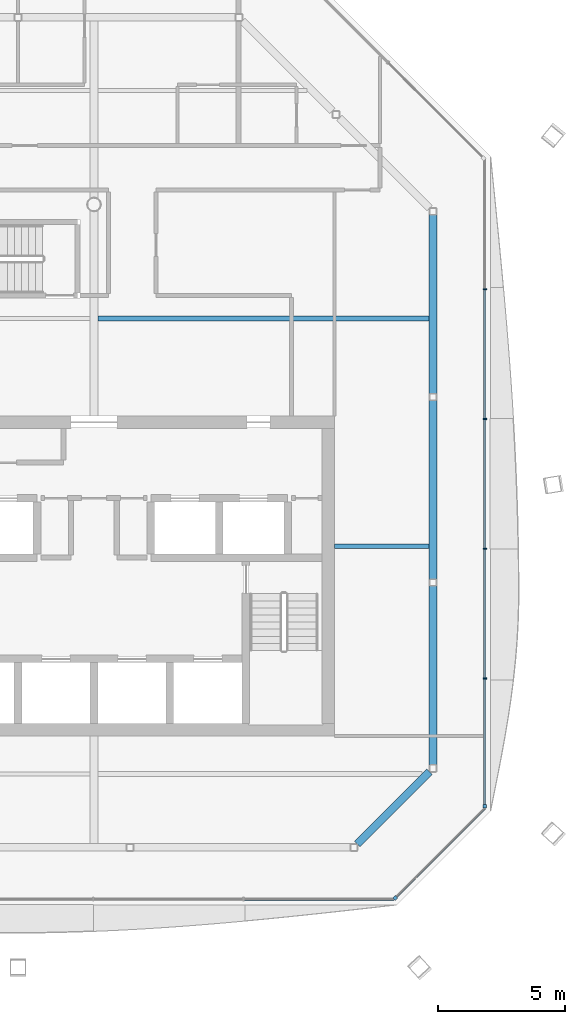
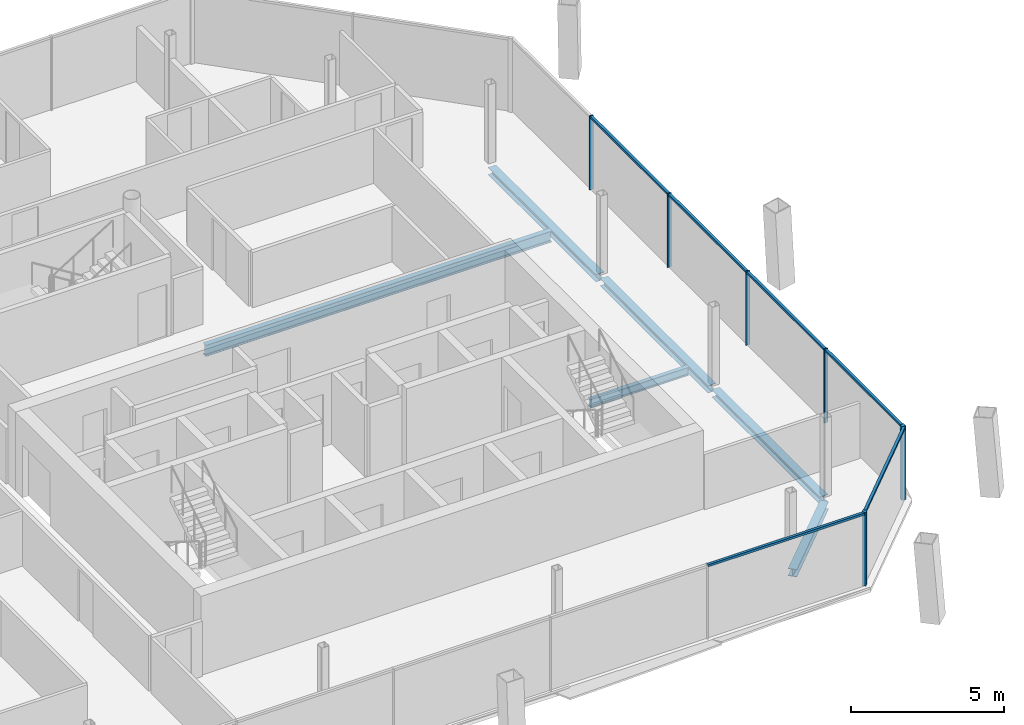
# One storey, part 7 of 17: 12 members, 6 beams, 3 elements without a shape of their own.
"""IFC4 building model written with IfcOpenShell, lengths in metres."""

from ifc_helpers import new_model, si_unit, direction, frame, origin, origin_2d, place, context, subcontext, project, spatial, rectangle, i_section, extrude, material, material_profile, profile_set, type_object, element, aggregate, save


model = new_model("IFC4")

# Units and contexts
model_context = context("Model", 3, precision=1e-05, world=origin(), true_north=direction((0.0, 1.0)))
body_context = subcontext(model_context, "Body", "Model", "MODEL_VIEW")
ifc_project = project(units=[si_unit("LENGTHUNIT", "METRE"), si_unit("AREAUNIT", "SQUARE_METRE"), si_unit("VOLUMEUNIT", "CUBIC_METRE"), si_unit("PLANEANGLEUNIT", "RADIAN"), si_unit("MASSUNIT", "GRAM", prefix="KILO")], contexts=[model_context])

# Site, building, storey
site_placement = place(None, origin())
site = spatial("IfcSite", under=ifc_project, at=site_placement, CompositionType="ELEMENT")
building_placement = place(site_placement, origin())
building = spatial("IfcBuilding", under=site, at=building_placement, Name="Tskaro Facet Tower", CompositionType="ELEMENT")
storey_placement = place(building_placement, frame((0.0, 0.0, 232.949951171875)))
storey = spatial("IfcBuildingStorey", under=building, at=storey_placement, Name="L60", CompositionType="ELEMENT", Elevation=232.949951171875)

# Curtain wall, member
ifc_material_1 = material(Name="Bronze anodised aluminium 6063-T6", Category="aluminium")
curtain_wall_type = type_object("IfcCurtainWallType", Name="Bronze residence curtain wall (FW3)", PredefinedType="NOTDEFINED", material=ifc_material_1)
curtain_wall_1_placement = place(storey_placement, origin())
curtain_wall_1 = element("IfcCurtainWall", 1, at=curtain_wall_1_placement, inside=storey, type_object=curtain_wall_type, Name="FW3 south-east facet L60", PredefinedType="NOTDEFINED")
ifc_material_profile_1 = material_profile(ifc_material_1, rectangle(XDim=0.139892578125, YDim=0.139892578125, at=origin_2d()), Name="Corner post 140x140")
ifc_profile_set_1 = profile_set([ifc_material_profile_1], Name="Bronze anodised aluminium 6063-T6")
member_type_1 = type_object("IfcMemberType", Name="FW3 bronze corner post 140x140", PredefinedType="MULLION", material=ifc_profile_set_1)
member_1_placement = place(storey_placement, frame((11.8935546875, -18.387451171875, 0.0), z_axis=(0.0, 0.0, 1.0), x_axis=(0.707106781187, 0.707106781187, 0.0)))
member_1 = element("IfcMember", 2, at=member_1_placement, type_object=member_type_1, Name="FW3 south-east corner post", PredefinedType="MULLION", context=body_context, shape_type="SweptSolid", body=[
    extrude(rectangle(XDim=0.139892578125, YDim=0.139892578125, at=origin_2d()), origin(), (0.0, 0.0, 1.0), 2.949951171875),
])

# Curtain wall, members
curtain_wall_2_placement = place(storey_placement, origin())
curtain_wall_2 = element("IfcCurtainWall", 3, at=curtain_wall_2_placement, inside=storey, type_object=curtain_wall_type, Name="FW3 east facet L60", PredefinedType="NOTDEFINED")
member_2_placement = place(storey_placement, frame((15.43701171875, -14.77392578125, 0.0), z_axis=(0.0, 0.0, 1.0), x_axis=(0.0, 1.0, 0.0)))
member_2 = element("IfcMember", 4, at=member_2_placement, type_object=member_type_1, Name="FW3 east corner post", PredefinedType="MULLION", context=body_context, shape_type="SweptSolid", body=[
    extrude(rectangle(XDim=0.139892578125, YDim=0.139892578125, at=origin_2d()), origin(), (0.0, 0.0, 1.0), 2.949951171875),
])
ifc_material_profile_2 = material_profile(ifc_material_1, rectangle(XDim=0.050048828125, YDim=0.139892578125, at=origin_2d()), Name="Mullion 50x140")
ifc_profile_set_2 = profile_set([ifc_material_profile_2], Name="Bronze anodised aluminium 6063-T6")
member_type_2 = type_object("IfcMemberType", Name="FW3 bronze mullion 50x140", PredefinedType="MULLION", material=ifc_profile_set_2)
member_3_placement = place(storey_placement, frame((15.43701171875, -9.719482421875, 0.0), z_axis=(0.0, 0.0, 1.0), x_axis=(0.0, 1.0, 0.0)))
member_3 = element("IfcMember", 5, at=member_3_placement, type_object=member_type_2, Name="FW3 east mullion 1", PredefinedType="MULLION", context=body_context, shape_type="SweptSolid", body=[
    extrude(rectangle(XDim=0.050048828125, YDim=0.139892578125, at=origin_2d()), origin(), (0.0, 0.0, 1.0), 2.949951171875),
])
member_4_placement = place(storey_placement, frame((15.43701171875, -4.5947265625, 0.0), z_axis=(0.0, 0.0, 1.0), x_axis=(0.0, 1.0, 0.0)))
member_4 = element("IfcMember", 6, at=member_4_placement, type_object=member_type_2, Name="FW3 east mullion 2", PredefinedType="MULLION", context=body_context, shape_type="SweptSolid", body=[
    extrude(rectangle(XDim=0.050048828125, YDim=0.139892578125, at=origin_2d()), origin(), (0.0, 0.0, 1.0), 2.949951171875),
])
member_5_placement = place(storey_placement, frame((15.43701171875, 0.52978515625, 0.0), z_axis=(0.0, 0.0, 1.0), x_axis=(0.0, 1.0, 0.0)))
member_5 = element("IfcMember", 7, at=member_5_placement, type_object=member_type_2, Name="FW3 east mullion 3", PredefinedType="MULLION", context=body_context, shape_type="SweptSolid", body=[
    extrude(rectangle(XDim=0.050048828125, YDim=0.139892578125, at=origin_2d()), origin(), (0.0, 0.0, 1.0), 2.949951171875),
])
member_6_placement = place(storey_placement, frame((15.43701171875, 5.654296875, 0.0), z_axis=(0.0, 0.0, 1.0), x_axis=(0.0, 1.0, 0.0)))
member_6 = element("IfcMember", 8, at=member_6_placement, type_object=member_type_2, Name="FW3 east mullion 4", PredefinedType="MULLION", context=body_context, shape_type="SweptSolid", body=[
    extrude(rectangle(XDim=0.050048828125, YDim=0.139892578125, at=origin_2d()), origin(), (0.0, 0.0, 1.0), 2.949951171875),
])

# Curtain wall, member
curtain_wall_3_placement = place(storey_placement, origin())
curtain_wall_3 = element("IfcCurtainWall", 9, at=curtain_wall_3_placement, inside=storey, type_object=curtain_wall_type, Name="FW3 south facet L60", PredefinedType="NOTDEFINED")
ifc_material_profile_3 = material_profile(ifc_material_1, rectangle(XDim=0.10009765625, YDim=0.090087890625, at=origin_2d()), Name="Transom 100x90")
ifc_profile_set_3 = profile_set([ifc_material_profile_3], Name="Bronze anodised aluminium 6063-T6")
member_type_3 = type_object("IfcMemberType", Name="FW3 bronze transom 100x90", PredefinedType="USERDEFINED", material=ifc_profile_set_3)
member_7_placement = place(storey_placement, frame((5.931396484375, -18.43701171875, 2.905029296875), z_axis=(1.0, 0.0, 0.0), x_axis=(0.0, 1.0, 0.0)))
member_7 = element("IfcMember", 10, at=member_7_placement, type_object=member_type_3, Name="FW3 south transom 5.1", ObjectType="TRANSOM", PredefinedType="USERDEFINED", context=body_context, shape_type="SweptSolid", body=[
    extrude(rectangle(XDim=0.10009765625, YDim=0.090087890625, at=origin_2d()), origin(), (0.0, 0.0, 1.0), 5.91259765625),
])
aggregate(curtain_wall_3, [member_7])

# Member
member_8_placement = place(storey_placement, frame((11.943115234375, -18.337890625, 2.905029296875), z_axis=(0.707106781187, 0.707106781187, 0.0), x_axis=(-0.707106781187, 0.707106781187, 0.0)))
member_8 = element("IfcMember", 11, at=member_8_placement, type_object=member_type_3, Name="FW3 south-east transom 1.1", ObjectType="TRANSOM", PredefinedType="USERDEFINED", context=body_context, shape_type="SweptSolid", body=[
    extrude(rectangle(XDim=0.10009765625, YDim=0.090087890625, at=origin_2d()), origin(), (0.0, 0.0, 1.0), 4.941162109375),
])

aggregate(curtain_wall_1, [member_1, member_8])

member_9_placement = place(storey_placement, frame((15.43701171875, -14.7041015625, 2.905029296875), z_axis=(0.0, 1.0, 0.0), x_axis=(-1.0, 0.0, 0.0)))
member_9 = element("IfcMember", 12, at=member_9_placement, type_object=member_type_3, Name="FW3 east transom 1.1", ObjectType="TRANSOM", PredefinedType="USERDEFINED", context=body_context, shape_type="SweptSolid", body=[
    extrude(rectangle(XDim=0.10009765625, YDim=0.090087890625, at=origin_2d()), origin(), (0.0, 0.0, 1.0), 4.959716796875),
])

member_10_placement = place(storey_placement, frame((15.43701171875, -9.6943359375, 2.905029296875), z_axis=(0.0, 1.0, 0.0), x_axis=(-1.0, 0.0, 0.0)))
member_10 = element("IfcMember", 13, at=member_10_placement, type_object=member_type_3, Name="FW3 east transom 2.1", ObjectType="TRANSOM", PredefinedType="USERDEFINED", context=body_context, shape_type="SweptSolid", body=[
    extrude(rectangle(XDim=0.10009765625, YDim=0.090087890625, at=origin_2d()), origin(), (0.0, 0.0, 1.0), 5.074462890625),
])

member_11_placement = place(storey_placement, frame((15.43701171875, -4.56982421875, 2.905029296875), z_axis=(0.0, 1.0, 0.0), x_axis=(-1.0, 0.0, 0.0)))
member_11 = element("IfcMember", 14, at=member_11_placement, type_object=member_type_3, Name="FW3 east transom 3.1", ObjectType="TRANSOM", PredefinedType="USERDEFINED", context=body_context, shape_type="SweptSolid", body=[
    extrude(rectangle(XDim=0.10009765625, YDim=0.090087890625, at=origin_2d()), origin(), (0.0, 0.0, 1.0), 5.07470703125),
])

member_12_placement = place(storey_placement, frame((15.43701171875, 0.5546875, 2.905029296875), z_axis=(0.0, 1.0, 0.0), x_axis=(-1.0, 0.0, 0.0)))
member_12 = element("IfcMember", 15, at=member_12_placement, type_object=member_type_3, Name="FW3 east transom 4.1", ObjectType="TRANSOM", PredefinedType="USERDEFINED", context=body_context, shape_type="SweptSolid", body=[
    extrude(rectangle(XDim=0.10009765625, YDim=0.090087890625, at=origin_2d()), origin(), (0.0, 0.0, 1.0), 5.07470703125),
])

aggregate(curtain_wall_2, [member_2, member_3, member_4, member_5, member_6, member_9, member_10, member_11, member_12])

# Beams
ifc_material_2 = material(Name="Steel S355J2", Category="steel")
ifc_material_profile_4 = material_profile(ifc_material_2, i_section(OverallWidth=0.300048828125, OverallDepth=0.300048828125, WebThickness=0.010986328125, FlangeThickness=0.01904296875, FilletRadius=0.027099609375, at=origin_2d()), Name="HE 300 B")
ifc_profile_set_4 = profile_set([ifc_material_profile_4], Name="Steel S355J2")
beam_type_1 = type_object("IfcBeamType", Name="HE 300 B ring beam", PredefinedType="BEAM", material=ifc_profile_set_4)
beam_1_placement = place(storey_placement, frame((10.40380859375, -16.255126953125, -0.2900390625), z_axis=(0.707106781187, 0.707106781187, 0.0), x_axis=(-0.707106781187, 0.707106781187, 0.0)))
element("IfcBeam", 16, at=beam_1_placement, inside=storey, type_object=beam_type_1, Name="HE 300 B EB4-5", PredefinedType="BEAM", context=body_context, shape_type="SweptSolid", body=[
    extrude(i_section(OverallWidth=0.300048828125, OverallDepth=0.300048828125, WebThickness=0.010986328125, FlangeThickness=0.01904296875, FilletRadius=0.027099609375, at=origin_2d()), origin(), (0.0, 0.0, 1.0), 4.032470703125),
])
beam_2_placement = place(storey_placement, frame((13.39111328125, -13.137939453125, -0.2900390625), z_axis=(0.0, 1.0, 0.0), x_axis=(-1.0, 0.0, 0.0)))
element("IfcBeam", 17, at=beam_2_placement, inside=storey, type_object=beam_type_1, Name="HE 300 B EB5-5", PredefinedType="BEAM", context=body_context, shape_type="SweptSolid", body=[
    extrude(i_section(OverallWidth=0.300048828125, OverallDepth=0.300048828125, WebThickness=0.010986328125, FlangeThickness=0.01904296875, FilletRadius=0.027099609375, at=origin_2d()), origin(), (0.0, 0.0, 1.0), 7.071044921875),
])
beam_3_placement = place(storey_placement, frame((13.39111328125, -5.806884765625, -0.2900390625), z_axis=(0.0, 1.0, 0.0), x_axis=(-1.0, 0.0, 0.0)))
element("IfcBeam", 18, at=beam_3_placement, inside=storey, type_object=beam_type_1, Name="HE 300 B EB6-5", PredefinedType="BEAM", context=body_context, shape_type="SweptSolid", body=[
    extrude(i_section(OverallWidth=0.300048828125, OverallDepth=0.300048828125, WebThickness=0.010986328125, FlangeThickness=0.01904296875, FilletRadius=0.027099609375, at=origin_2d()), origin(), (0.0, 0.0, 1.0), 7.07080078125),
])
beam_4_placement = place(storey_placement, frame((13.39111328125, 1.52392578125, -0.2900390625), z_axis=(0.0, 1.0, 0.0), x_axis=(-1.0, 0.0, 0.0)))
element("IfcBeam", 19, at=beam_4_placement, inside=storey, type_object=beam_type_1, Name="HE 300 B EB7-5", PredefinedType="BEAM", context=body_context, shape_type="SweptSolid", body=[
    extrude(i_section(OverallWidth=0.300048828125, OverallDepth=0.300048828125, WebThickness=0.010986328125, FlangeThickness=0.01904296875, FilletRadius=0.027099609375, at=origin_2d()), origin(), (0.0, 0.0, 1.0), 7.071044921875),
])
ifc_material_profile_5 = material_profile(ifc_material_2, i_section(OverallWidth=0.159912109375, OverallDepth=0.330078125, WebThickness=0.007568359375, FlangeThickness=0.011474609375, FilletRadius=0.01806640625, at=origin_2d()), Name="IPE 330")
ifc_profile_set_5 = profile_set([ifc_material_profile_5], Name="Steel S355J2")
beam_type_2 = type_object("IfcBeamType", Name="IPE 330 secondary beam", PredefinedType="BEAM", material=ifc_profile_set_5)
beam_5_placement = place(storey_placement, frame((9.5, -4.5, -0.304931640625), z_axis=(1.0, 0.0, 0.0), x_axis=(0.0, 1.0, 0.0)))
element("IfcBeam", 20, at=beam_5_placement, inside=storey, type_object=beam_type_2, Name="IPE 330 SB3a-2-5", PredefinedType="BEAM", context=body_context, shape_type="SweptSolid", body=[
    extrude(i_section(OverallWidth=0.159912109375, OverallDepth=0.330078125, WebThickness=0.007568359375, FlangeThickness=0.011474609375, FilletRadius=0.01806640625, at=origin_2d()), origin(), (0.0, 0.0, 1.0), 3.740966796875),
])
ifc_material_profile_6 = material_profile(ifc_material_2, i_section(OverallWidth=0.18994140625, OverallDepth=0.449951171875, WebThickness=0.009521484375, FlangeThickness=0.0146484375, FilletRadius=0.02099609375, at=origin_2d()), Name="IPE 450")
ifc_profile_set_6 = profile_set([ifc_material_profile_6], Name="Steel S355J2")
beam_type_3 = type_object("IfcBeamType", Name="IPE 450 long secondary beam", PredefinedType="BEAM", material=ifc_profile_set_6)
beam_6_placement = place(storey_placement, frame((0.14990234375, 4.5, -0.364990234375), z_axis=(1.0, 0.0, 0.0), x_axis=(0.0, 1.0, 0.0)))
element("IfcBeam", 21, at=beam_6_placement, inside=storey, type_object=beam_type_3, Name="IPE 450 LSB4a-3-5", PredefinedType="BEAM", context=body_context, shape_type="SweptSolid", body=[
    extrude(i_section(OverallWidth=0.18994140625, OverallDepth=0.449951171875, WebThickness=0.009521484375, FlangeThickness=0.0146484375, FilletRadius=0.02099609375, at=origin_2d()), origin(), (0.0, 0.0, 1.0), 13.091064453125),
])

save(model, "model.ifc")
